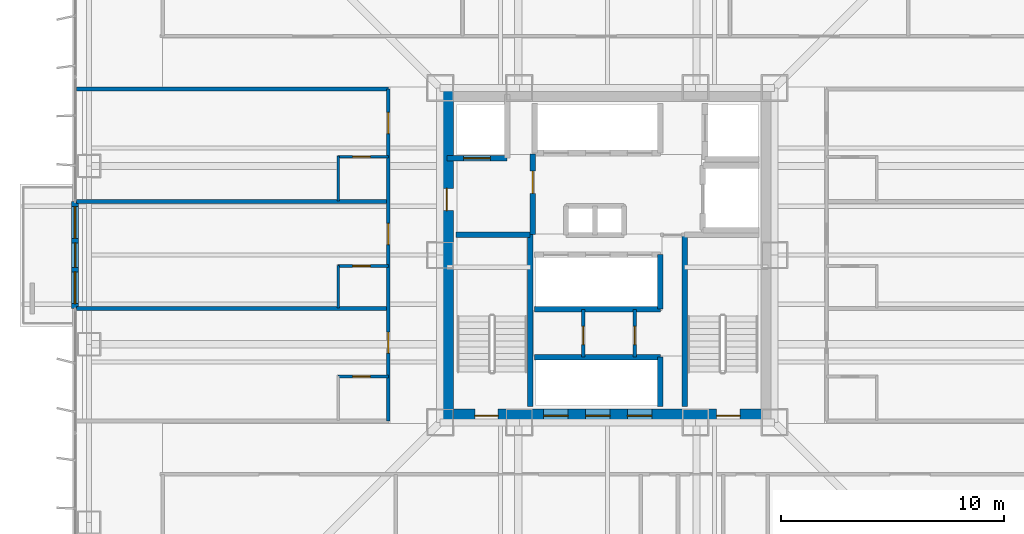
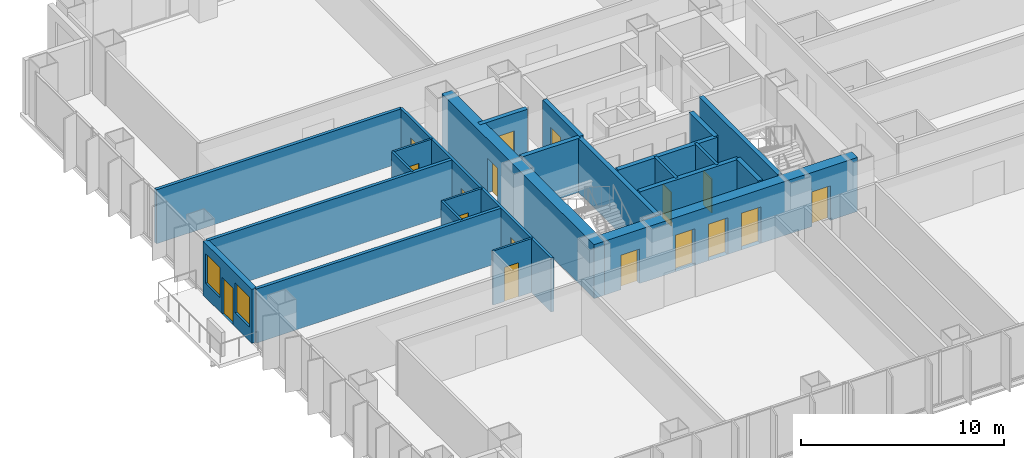
# One storey, part 11 of 16: 23 walls, 17 doors, 2 windows, 19 openings.
"""IFC4 building model written with IfcOpenShell, lengths in metres."""

from ifc_helpers import new_model, si_unit, direction, frame, frame_2d, origin, place, context, subcontext, project, spatial, rectangle, extrude, material, layer, layer_set, type_object, element, fill, save


model = new_model("IFC4")

# Units and contexts
model_context = context("Model", 3, precision=1e-05, world=origin(), true_north=direction((0.0, 1.0)))
body_context = subcontext(model_context, "Body", "Model", "MODEL_VIEW")
ifc_project = project(units=[si_unit("LENGTHUNIT", "METRE"), si_unit("AREAUNIT", "SQUARE_METRE"), si_unit("VOLUMEUNIT", "CUBIC_METRE"), si_unit("PLANEANGLEUNIT", "RADIAN"), si_unit("MASSUNIT", "GRAM", prefix="KILO")], contexts=[model_context])

# Site, building, storey
site_placement = place(None, origin())
site = spatial("IfcSite", under=ifc_project, at=site_placement, CompositionType="ELEMENT")
building_placement = place(site_placement, origin())
building = spatial("IfcBuilding", under=site, at=building_placement, Name="Trevonay Congress Spire", CompositionType="ELEMENT")
storey_placement = place(building_placement, frame((0.0, 0.0, 48.0)))
storey = spatial("IfcBuildingStorey", under=building, at=storey_placement, Name="L11", CompositionType="ELEMENT", Elevation=48.0)

# Wall, opening, door
ifc_material_1 = material(Name="Concrete C40/50", Category="concrete")
ifc_layer_1 = layer(ifc_material_1, 0.1201171875, Name="Concrete C40/50")
ifc_layer_set_1 = layer_set([ifc_layer_1], Name="Concrete C40/50")
wall_type_1 = type_object("IfcWallType", Name="WAL-BATH-120", PredefinedType="PLUMBINGWALL", material=ifc_layer_set_1)
wall_1_placement = place(storey_placement, frame((-12.080078125, -5.44189453125, 0.0), z_axis=(0.0, 0.0, 1.0), x_axis=(1.0, 0.0, 0.0)))
wall_1 = element("IfcWall", 1, at=wall_1_placement, inside=storey, type_object=wall_type_1, Name="L11 interior wall WH-L11W-BS1", PredefinedType="PLUMBINGWALL", context=body_context, shape_type="SweptSolid", body=[
    extrude(rectangle(XDim=2.25, YDim=0.1201171875, at=frame_2d((1.125, 0.0))), origin(), (0.0, 0.0, 1.0), 3.25),
])
opening_1_placement = place(wall_1_placement, frame((0.64990234375, 0.0, 0.0)))
opening_1 = element("IfcOpeningElement", 2, at=opening_1_placement, cuts=wall_1, Name="Opening D11", PredefinedType="OPENING", context=body_context, shape_type="SweptSolid", body=[
    extrude(rectangle(XDim=0.800048828125, YDim=2.050048828125, at=frame_2d((0.39990234375, 1.02490234375))), frame((0.0, 0.070068359375, 0.0), z_axis=(0.0, -1.0, 0.0), x_axis=(1.0, 0.0, 0.0)), (0.0, 0.0, 1.0), 0.14013671875),
])
ifc_material_2 = material(Name="Pale Anodised Aluminium EN AW-6063-T6", Category="aluminium")
door_type_1 = type_object("IfcDoorType", Name="DOR-BATH-80", OperationType="NOTDEFINED", PredefinedType="DOOR", material=ifc_material_2)
door_1_placement = place(opening_1_placement, origin())
door_1 = element("IfcDoor", 3, at=door_1_placement, inside=storey, type_object=door_type_1, Name="L11 En-suite Bathroom Door", OperationType="SINGLE_SWING_LEFT", OverallHeight=2.050048828125, OverallWidth=0.800048828125, PredefinedType="DOOR", context=body_context, shape_type="SweptSolid", body=[
    extrude(rectangle(XDim=0.800048828125, YDim=2.050048828125, at=frame_2d((0.39990234375, 1.02490234375))), frame((0.0, 0.02490234375, 0.0), z_axis=(0.0, -1.0, 0.0), x_axis=(1.0, 0.0, 0.0)), (0.0, 0.0, 1.0), 0.050048828125),
])
fill(opening_1, door_1)

wall_2_placement = place(storey_placement, frame((-12.080078125, -0.487060546875, 0.0), z_axis=(0.0, 0.0, 1.0), x_axis=(1.0, 0.0, 0.0)))
wall_2 = element("IfcWall", 4, at=wall_2_placement, inside=storey, type_object=wall_type_1, Name="L11 interior wall WH-L11W-BS2", PredefinedType="PLUMBINGWALL", context=body_context, shape_type="SweptSolid", body=[
    extrude(rectangle(XDim=2.25, YDim=0.1201171875, at=frame_2d((1.125, 0.0))), origin(), (0.0, 0.0, 1.0), 3.25),
])
opening_2_placement = place(wall_2_placement, frame((0.64990234375, 0.0, 0.0)))
opening_2 = element("IfcOpeningElement", 5, at=opening_2_placement, cuts=wall_2, Name="Opening D11", PredefinedType="OPENING", context=body_context, shape_type="SweptSolid", body=[
    extrude(rectangle(XDim=0.800048828125, YDim=2.050048828125, at=frame_2d((0.39990234375, 1.02490234375))), frame((0.0, 0.070068359375, 0.0), z_axis=(0.0, -1.0, 0.0), x_axis=(1.0, 0.0, 0.0)), (0.0, 0.0, 1.0), 0.14013671875),
])
door_2_placement = place(opening_2_placement, origin())
door_2 = element("IfcDoor", 6, at=door_2_placement, inside=storey, type_object=door_type_1, Name="L11 En-suite Bathroom Door", OperationType="SINGLE_SWING_RIGHT", OverallHeight=2.050048828125, OverallWidth=0.800048828125, PredefinedType="DOOR", context=body_context, shape_type="SweptSolid", body=[
    extrude(rectangle(XDim=0.800048828125, YDim=2.050048828125, at=frame_2d((0.39990234375, 1.02490234375))), frame((0.0, 0.02490234375, 0.0), z_axis=(0.0, -1.0, 0.0), x_axis=(1.0, 0.0, 0.0)), (0.0, 0.0, 1.0), 0.050048828125),
])
fill(opening_2, door_2)

# Wall
wall_3_placement = place(storey_placement, frame((-12.080078125, -2.3701171875, 0.0), z_axis=(0.0, 0.0, 1.0), x_axis=(0.0, 1.0, 0.0)))
element("IfcWall", 7, at=wall_3_placement, inside=storey, type_object=wall_type_1, Name="L11 interior wall WH-L11W-BF2", PredefinedType="PLUMBINGWALL", context=body_context, shape_type="SweptSolid", body=[
    extrude(rectangle(XDim=1.9130859375, YDim=0.1201171875, at=frame_2d((0.95654296875, 0.0))), origin(), (0.0, 0.0, 1.0), 3.25),
])

# Wall, opening, door
wall_4_placement = place(storey_placement, frame((-12.080078125, 4.407958984375, 0.0), z_axis=(0.0, 0.0, 1.0), x_axis=(1.0, 0.0, 0.0)))
wall_4 = element("IfcWall", 8, at=wall_4_placement, inside=storey, type_object=wall_type_1, Name="L11 interior wall WH-L11W-BS3", PredefinedType="PLUMBINGWALL", context=body_context, shape_type="SweptSolid", body=[
    extrude(rectangle(XDim=2.25, YDim=0.1201171875, at=frame_2d((1.125, 0.0))), origin(), (0.0, 0.0, 1.0), 3.25),
])
opening_3_placement = place(wall_4_placement, frame((0.64990234375, 0.0, 0.0)))
opening_3 = element("IfcOpeningElement", 9, at=opening_3_placement, cuts=wall_4, Name="Opening D11", PredefinedType="OPENING", context=body_context, shape_type="SweptSolid", body=[
    extrude(rectangle(XDim=0.800048828125, YDim=2.050048828125, at=frame_2d((0.39990234375, 1.02490234375))), frame((0.0, 0.070068359375, 0.0), z_axis=(0.0, -1.0, 0.0), x_axis=(1.0, 0.0, 0.0)), (0.0, 0.0, 1.0), 0.14013671875),
])
door_3_placement = place(opening_3_placement, origin())
door_3 = element("IfcDoor", 10, at=door_3_placement, inside=storey, type_object=door_type_1, Name="L11 En-suite Bathroom Door", OperationType="SINGLE_SWING_LEFT", OverallHeight=2.050048828125, OverallWidth=0.800048828125, PredefinedType="DOOR", context=body_context, shape_type="SweptSolid", body=[
    extrude(rectangle(XDim=0.800048828125, YDim=2.050048828125, at=frame_2d((0.39990234375, 1.02490234375))), frame((0.0, 0.02490234375, 0.0), z_axis=(0.0, -1.0, 0.0), x_axis=(1.0, 0.0, 0.0)), (0.0, 0.0, 1.0), 0.050048828125),
])
fill(opening_3, door_3)

# Wall
wall_5_placement = place(storey_placement, frame((-12.080078125, 2.429931640625, 0.0), z_axis=(0.0, 0.0, 1.0), x_axis=(0.0, 1.0, 0.0)))
element("IfcWall", 11, at=wall_5_placement, inside=storey, type_object=wall_type_1, Name="L11 interior wall WH-L11W-BF3", PredefinedType="PLUMBINGWALL", context=body_context, shape_type="SweptSolid", body=[
    extrude(rectangle(XDim=2.008056640625, YDim=0.1201171875, at=frame_2d((1.00390625, 0.0))), origin(), (0.0, 0.0, 1.0), 3.25),
])

# Wall, openings, doors
ifc_material_3 = material(Name="Concrete C60/75", Category="concrete")
ifc_layer_2 = layer(ifc_material_3, 0.60009765625, Name="Concrete C60/75")
ifc_layer_set_2 = layer_set([ifc_layer_2], Name="Concrete C60/75")
wall_type_2 = type_object("IfcWallType", Name="WAL-CORE-600", PredefinedType="SHEAR", material=ifc_layer_set_2)
wall_6_placement = place(storey_placement, frame((-7.5, -7.199951171875, 0.0), z_axis=(0.0, 0.0, 1.0), x_axis=(1.0, 0.0, 0.0)))
wall_6 = element("IfcWall", 12, at=wall_6_placement, inside=storey, type_object=wall_type_2, Name="L11 South structural core shear wall", PredefinedType="SHEAR", context=body_context, shape_type="SweptSolid", body=[
    extrude(rectangle(XDim=15.0, YDim=0.60009765625, at=frame_2d((7.5, 0.0))), origin(), (0.0, 0.0, 1.0), 3.25),
])
opening_4_placement = place(wall_6_placement, frame((1.550048828125, 0.0, 0.0)))
opening_4 = element("IfcOpeningElement", 13, at=opening_4_placement, cuts=wall_6, Name="Opening D05", PredefinedType="OPENING", context=body_context, shape_type="SweptSolid", body=[
    extrude(rectangle(XDim=1.050048828125, YDim=2.080078125, at=frame_2d((0.52490234375, 1.0400390625))), frame((0.0, 0.31005859375, 0.0), z_axis=(0.0, -1.0, 0.0), x_axis=(1.0, 0.0, 0.0)), (0.0, 0.0, 1.0), 0.6201171875),
])
opening_5_placement = place(wall_6_placement, frame((12.39990234375, 0.0, 0.0)))
opening_5 = element("IfcOpeningElement", 14, at=opening_5_placement, cuts=wall_6, Name="Opening D05", PredefinedType="OPENING", context=body_context, shape_type="SweptSolid", body=[
    extrude(rectangle(XDim=1.050048828125, YDim=2.080078125, at=frame_2d((0.52490234375, 1.0400390625))), frame((0.0, 0.31005859375, 0.0), z_axis=(0.0, -1.0, 0.0), x_axis=(1.0, 0.0, 0.0)), (0.0, 0.0, 1.0), 0.6201171875),
])
opening_6_placement = place(wall_6_placement, frame((4.639892578125, 0.0, 0.0)))
opening_6 = element("IfcOpeningElement", 15, at=opening_6_placement, cuts=wall_6, Name="Opening LD01", PredefinedType="OPENING", context=body_context, shape_type="SweptSolid", body=[
    extrude(rectangle(XDim=1.10009765625, YDim=2.199951171875, at=frame_2d((0.550048828125, 1.10009765625))), frame((0.0, 0.31005859375, 0.0), z_axis=(0.0, -1.0, 0.0), x_axis=(1.0, 0.0, 0.0)), (0.0, 0.0, 1.0), 0.6201171875),
])
opening_7_placement = place(wall_6_placement, frame((6.52001953125, 0.0, 0.0)))
opening_7 = element("IfcOpeningElement", 16, at=opening_7_placement, cuts=wall_6, Name="Opening LD01", PredefinedType="OPENING", context=body_context, shape_type="SweptSolid", body=[
    extrude(rectangle(XDim=1.10009765625, YDim=2.199951171875, at=frame_2d((0.550048828125, 1.10009765625))), frame((0.0, 0.31005859375, 0.0), z_axis=(0.0, -1.0, 0.0), x_axis=(1.0, 0.0, 0.0)), (0.0, 0.0, 1.0), 0.6201171875),
])
opening_8_placement = place(wall_6_placement, frame((8.39990234375, 0.0, 0.0)))
opening_8 = element("IfcOpeningElement", 17, at=opening_8_placement, cuts=wall_6, Name="Opening LD01", PredefinedType="OPENING", context=body_context, shape_type="SweptSolid", body=[
    extrude(rectangle(XDim=1.10009765625, YDim=2.199951171875, at=frame_2d((0.550048828125, 1.10009765625))), frame((0.0, 0.31005859375, 0.0), z_axis=(0.0, -1.0, 0.0), x_axis=(1.0, 0.0, 0.0)), (0.0, 0.0, 1.0), 0.6201171875),
])
door_type_2 = type_object("IfcDoorType", Name="DOR-LIFT-LD01", OperationType="DOUBLE_DOOR_SLIDING", PredefinedType="DOOR", material=ifc_material_2)
door_4_placement = place(opening_6_placement, origin())
door_4 = element("IfcDoor", 18, at=door_4_placement, inside=storey, type_object=door_type_2, Name="L11 Passenger lift PL-01 landing door", OperationType="DOUBLE_DOOR_SLIDING", OverallHeight=2.199951171875, OverallWidth=1.10009765625, PredefinedType="DOOR", context=body_context, shape_type="SweptSolid", body=[
    extrude(rectangle(XDim=1.10009765625, YDim=2.199951171875, at=frame_2d((0.550048828125, 1.10009765625))), frame((0.0, 0.02490234375, 0.0), z_axis=(0.0, -1.0, 0.0), x_axis=(1.0, 0.0, 0.0)), (0.0, 0.0, 1.0), 0.050048828125),
])
fill(opening_6, door_4)
door_5_placement = place(opening_7_placement, origin())
door_5 = element("IfcDoor", 19, at=door_5_placement, inside=storey, type_object=door_type_2, Name="L11 Passenger lift PL-02 landing door", OperationType="DOUBLE_DOOR_SLIDING", OverallHeight=2.199951171875, OverallWidth=1.10009765625, PredefinedType="DOOR", context=body_context, shape_type="SweptSolid", body=[
    extrude(rectangle(XDim=1.10009765625, YDim=2.199951171875, at=frame_2d((0.550048828125, 1.10009765625))), frame((0.0, 0.02490234375, 0.0), z_axis=(0.0, -1.0, 0.0), x_axis=(1.0, 0.0, 0.0)), (0.0, 0.0, 1.0), 0.050048828125),
])
fill(opening_7, door_5)
door_6_placement = place(opening_8_placement, origin())
door_6 = element("IfcDoor", 20, at=door_6_placement, inside=storey, type_object=door_type_2, Name="L11 Passenger lift PL-03 landing door", OperationType="DOUBLE_DOOR_SLIDING", OverallHeight=2.199951171875, OverallWidth=1.10009765625, PredefinedType="DOOR", context=body_context, shape_type="SweptSolid", body=[
    extrude(rectangle(XDim=1.10009765625, YDim=2.199951171875, at=frame_2d((0.550048828125, 1.10009765625))), frame((0.0, 0.02490234375, 0.0), z_axis=(0.0, -1.0, 0.0), x_axis=(1.0, 0.0, 0.0)), (0.0, 0.0, 1.0), 0.050048828125),
])
fill(opening_8, door_6)
ifc_material_4 = material(Name="Steel ASTM A572 Grade 50", Category="steel")
door_type_3 = type_object("IfcDoorType", Name="DOR-STAIR-110", OperationType="NOTDEFINED", PredefinedType="DOOR", material=ifc_material_4)
door_7_placement = place(opening_4_placement, origin())
door_7 = element("IfcDoor", 21, at=door_7_placement, inside=storey, type_object=door_type_3, Name="L11 Protected Stair ST-1 Door", OperationType="SINGLE_SWING_RIGHT", OverallHeight=2.080078125, OverallWidth=1.050048828125, PredefinedType="DOOR", context=body_context, shape_type="SweptSolid", body=[
    extrude(rectangle(XDim=1.050048828125, YDim=2.080078125, at=frame_2d((0.52490234375, 1.0400390625))), frame((0.0, 0.02490234375, 0.0), z_axis=(0.0, -1.0, 0.0), x_axis=(1.0, 0.0, 0.0)), (0.0, 0.0, 1.0), 0.050048828125),
])
fill(opening_4, door_7)
door_8_placement = place(opening_5_placement, origin())
door_8 = element("IfcDoor", 22, at=door_8_placement, inside=storey, type_object=door_type_3, Name="L11 Protected Stair ST-2 Door", OperationType="SINGLE_SWING_LEFT", OverallHeight=2.080078125, OverallWidth=1.050048828125, PredefinedType="DOOR", context=body_context, shape_type="SweptSolid", body=[
    extrude(rectangle(XDim=1.050048828125, YDim=2.080078125, at=frame_2d((0.52490234375, 1.0400390625))), frame((0.0, 0.02490234375, 0.0), z_axis=(0.0, -1.0, 0.0), x_axis=(1.0, 0.0, 0.0)), (0.0, 0.0, 1.0), 0.050048828125),
])
fill(opening_5, door_8)

# Wall, opening, door
wall_7_placement = place(storey_placement, frame((-7.199951171875, -7.5, 0.0), z_axis=(0.0, 0.0, 1.0), x_axis=(0.0, 1.0, 0.0)))
wall_7 = element("IfcWall", 23, at=wall_7_placement, inside=storey, type_object=wall_type_2, Name="L11 West structural core shear wall", PredefinedType="SHEAR", context=body_context, shape_type="SweptSolid", body=[
    extrude(rectangle(XDim=15.0, YDim=0.60009765625, at=frame_2d((7.5, 0.0))), origin(), (0.0, 0.0, 1.0), 3.25),
])
opening_9_placement = place(wall_7_placement, frame((9.5, 0.0, 0.0)))
opening_9 = element("IfcOpeningElement", 24, at=opening_9_placement, cuts=wall_7, Name="Opening D06", PredefinedType="OPENING", context=body_context, shape_type="SweptSolid", body=[
    extrude(rectangle(XDim=1.0, YDim=2.080078125, at=frame_2d((0.5, 1.0400390625))), frame((0.0, 0.31005859375, 0.0), z_axis=(0.0, -1.0, 0.0), x_axis=(1.0, 0.0, 0.0)), (0.0, 0.0, 1.0), 0.6201171875),
])
door_type_4 = type_object("IfcDoorType", Name="DOR-FIRE-100", OperationType="NOTDEFINED", PredefinedType="DOOR", material=ifc_material_4)
door_9_placement = place(opening_9_placement, origin())
door_9 = element("IfcDoor", 25, at=door_9_placement, inside=storey, type_object=door_type_4, Name="L11 Firefighting Lift Lobby West Corridor Door", OperationType="SINGLE_SWING_RIGHT", OverallHeight=2.080078125, OverallWidth=1.0, PredefinedType="DOOR", context=body_context, shape_type="SweptSolid", body=[
    extrude(rectangle(XDim=1.0, YDim=2.080078125, at=frame_2d((0.5, 1.0400390625))), frame((0.0, 0.02490234375, 0.0), z_axis=(0.0, -1.0, 0.0), x_axis=(1.0, 0.0, 0.0)), (0.0, 0.0, 1.0), 0.050048828125),
])
fill(opening_9, door_9)

# Wall, openings, doors
ifc_layer_3 = layer(ifc_material_1, 0.14990234375, Name="Concrete C40/50")
ifc_layer_set_3 = layer_set([ifc_layer_3], Name="Concrete C40/50")
wall_type_3 = type_object("IfcWallType", Name="WAL-CORR-150", PredefinedType="PARTITIONING", material=ifc_layer_set_3)
wall_8_placement = place(storey_placement, frame((-9.830078125, -7.449951171875, 0.0), z_axis=(0.0, 0.0, 1.0), x_axis=(0.0, 1.0, 0.0)))
wall_8 = element("IfcWall", 26, at=wall_8_placement, inside=storey, type_object=wall_type_3, Name="L11 interior wall WH-L11W-COR", PredefinedType="PARTITIONING", context=body_context, shape_type="SweptSolid", body=[
    extrude(rectangle(XDim=14.89990234375, YDim=0.14990234375, at=frame_2d((7.449951171875, 0.0))), origin(), (0.0, 0.0, 1.0), 3.25),
])
opening_10_placement = place(wall_8_placement, frame((3.049072265625, 0.0, 0.0)))
opening_10 = element("IfcOpeningElement", 27, at=opening_10_placement, cuts=wall_8, Name="Opening D08", PredefinedType="OPENING", context=body_context, shape_type="SweptSolid", body=[
    extrude(rectangle(XDim=0.949951171875, YDim=2.080078125, at=frame_2d((0.47509765625, 1.0400390625))), frame((0.0, 0.0849609375, 0.0), z_axis=(0.0, -1.0, 0.0), x_axis=(1.0, 0.0, 0.0)), (0.0, 0.0, 1.0), 0.169921875),
])
opening_11_placement = place(wall_8_placement, frame((7.926513671875, 0.0, 0.0)))
opening_11 = element("IfcOpeningElement", 28, at=opening_11_placement, cuts=wall_8, Name="Opening D08", PredefinedType="OPENING", context=body_context, shape_type="SweptSolid", body=[
    extrude(rectangle(XDim=0.949951171875, YDim=2.080078125, at=frame_2d((0.47509765625, 1.0400390625))), frame((0.0, 0.0849609375, 0.0), z_axis=(0.0, -1.0, 0.0), x_axis=(1.0, 0.0, 0.0)), (0.0, 0.0, 1.0), 0.169921875),
])
opening_12_placement = place(wall_8_placement, frame((12.89892578125, 0.0, 0.0)))
opening_12 = element("IfcOpeningElement", 29, at=opening_12_placement, cuts=wall_8, Name="Opening D08", PredefinedType="OPENING", context=body_context, shape_type="SweptSolid", body=[
    extrude(rectangle(XDim=0.949951171875, YDim=2.080078125, at=frame_2d((0.47509765625, 1.0400390625))), frame((0.0, 0.0849609375, 0.0), z_axis=(0.0, -1.0, 0.0), x_axis=(1.0, 0.0, 0.0)), (0.0, 0.0, 1.0), 0.169921875),
])
door_type_5 = type_object("IfcDoorType", Name="DOR-SUITE-95", OperationType="NOTDEFINED", PredefinedType="DOOR", material=ifc_material_2)
door_10_placement = place(opening_10_placement, origin())
door_10 = element("IfcDoor", 30, at=door_10_placement, inside=storey, type_object=door_type_5, Name="L11 Corner Hotel Suite Entrance Door", OperationType="SINGLE_SWING_RIGHT", OverallHeight=2.080078125, OverallWidth=0.949951171875, PredefinedType="DOOR", context=body_context, shape_type="SweptSolid", body=[
    extrude(rectangle(XDim=0.949951171875, YDim=2.080078125, at=frame_2d((0.47509765625, 1.0400390625))), frame((0.0, 0.02490234375, 0.0), z_axis=(0.0, -1.0, 0.0), x_axis=(1.0, 0.0, 0.0)), (0.0, 0.0, 1.0), 0.050048828125),
])
fill(opening_10, door_10)
door_11_placement = place(opening_11_placement, origin())
door_11 = element("IfcDoor", 31, at=door_11_placement, inside=storey, type_object=door_type_5, Name="L11 Corner Hotel Suite Entrance Door", OperationType="SINGLE_SWING_LEFT", OverallHeight=2.080078125, OverallWidth=0.949951171875, PredefinedType="DOOR", context=body_context, shape_type="SweptSolid", body=[
    extrude(rectangle(XDim=0.949951171875, YDim=2.080078125, at=frame_2d((0.47509765625, 1.0400390625))), frame((0.0, 0.02490234375, 0.0), z_axis=(0.0, -1.0, 0.0), x_axis=(1.0, 0.0, 0.0)), (0.0, 0.0, 1.0), 0.050048828125),
])
fill(opening_11, door_11)
door_12_placement = place(opening_12_placement, origin())
door_12 = element("IfcDoor", 32, at=door_12_placement, inside=storey, type_object=door_type_5, Name="L11 Corner Hotel Suite Entrance Door", OperationType="SINGLE_SWING_RIGHT", OverallHeight=2.080078125, OverallWidth=0.949951171875, PredefinedType="DOOR", context=body_context, shape_type="SweptSolid", body=[
    extrude(rectangle(XDim=0.949951171875, YDim=2.080078125, at=frame_2d((0.47509765625, 1.0400390625))), frame((0.0, 0.02490234375, 0.0), z_axis=(0.0, -1.0, 0.0), x_axis=(1.0, 0.0, 0.0)), (0.0, 0.0, 1.0), 0.050048828125),
])
fill(opening_12, door_12)

# Wall, openings, door, windows
ifc_material_5 = material(Name="Precast concrete C40/50", Category="concrete")
ifc_layer_4 = layer(ifc_material_5, 0.300048828125, Name="Precast concrete C40/50")
ifc_layer_set_4 = layer_set([ifc_layer_4], Name="Precast concrete C40/50")
wall_type_4 = type_object("IfcWallType", Name="WAL-EXT-PRECAST-300", PredefinedType="SOLIDWALL", material=ifc_layer_set_4)
wall_9_placement = place(storey_placement, frame((-23.8798828125, -2.39990234375, 0.0), z_axis=(0.0, 0.0, 1.0), x_axis=(0.0, 1.0, 0.0)))
wall_9 = element("IfcWall", 33, at=wall_9_placement, inside=storey, type_object=wall_type_4, Name="L11 W glazed balcony portal exterior wall", PredefinedType="SOLIDWALL", context=body_context, shape_type="SweptSolid", body=[
    extrude(rectangle(XDim=4.7998046875, YDim=0.300048828125, at=frame_2d((2.39990234375, 0.0))), origin(), (0.0, 0.0, 1.0), 3.25),
])
opening_13_placement = place(wall_9_placement, frame((1.85009765625, 0.0, 0.0)))
opening_13 = element("IfcOpeningElement", 34, at=opening_13_placement, cuts=wall_9, Name="Opening D03", PredefinedType="OPENING", context=body_context, shape_type="SweptSolid", body=[
    extrude(rectangle(XDim=1.10009765625, YDim=2.199951171875, at=frame_2d((0.550048828125, 1.10009765625))), frame((0.0, 0.16015625, 0.0), z_axis=(0.0, -1.0, 0.0), x_axis=(1.0, 0.0, 0.0)), (0.0, 0.0, 1.0), 0.320068359375),
])
opening_14_placement = place(wall_9_placement, frame((0.219970703125, 0.0, 0.85009765625)))
opening_14 = element("IfcOpeningElement", 35, at=opening_14_placement, cuts=wall_9, Name="Opening WN06", PredefinedType="OPENING", context=body_context, shape_type="SweptSolid", body=[
    extrude(rectangle(XDim=1.429931640625, YDim=1.800048828125, at=frame_2d((0.71484375, 0.89990234375))), frame((0.0, 0.16015625, 0.0), z_axis=(0.0, -1.0, 0.0), x_axis=(1.0, 0.0, 0.0)), (0.0, 0.0, 1.0), 0.320068359375),
])
opening_15_placement = place(wall_9_placement, frame((3.14990234375, 0.0, 0.85009765625)))
opening_15 = element("IfcOpeningElement", 36, at=opening_15_placement, cuts=wall_9, Name="Opening WN06", PredefinedType="OPENING", context=body_context, shape_type="SweptSolid", body=[
    extrude(rectangle(XDim=1.429931640625, YDim=1.800048828125, at=frame_2d((0.71484375, 0.89990234375))), frame((0.0, 0.16015625, 0.0), z_axis=(0.0, -1.0, 0.0), x_axis=(1.0, 0.0, 0.0)), (0.0, 0.0, 1.0), 0.320068359375),
])
door_type_6 = type_object("IfcDoorType", Name="DOR-EXT-BAL-110", OperationType="NOTDEFINED", PredefinedType="DOOR", material=ifc_material_2)
door_13_placement = place(opening_13_placement, origin())
door_13 = element("IfcDoor", 37, at=door_13_placement, inside=storey, type_object=door_type_6, Name="L11 W glazed outdoor terrace and balcony door", OperationType="SINGLE_SWING_LEFT", OverallHeight=2.199951171875, OverallWidth=1.10009765625, PredefinedType="DOOR", context=body_context, shape_type="SweptSolid", body=[
    extrude(rectangle(XDim=1.10009765625, YDim=2.199951171875, at=frame_2d((0.550048828125, 1.10009765625))), frame((0.0, 0.02490234375, 0.0), z_axis=(0.0, -1.0, 0.0), x_axis=(1.0, 0.0, 0.0)), (0.0, 0.0, 1.0), 0.050048828125),
])
fill(opening_13, door_13)
ifc_material_6 = material(Name="Insulated Low-E Vision Glass IGU", Category="glass")
window_type = type_object("IfcWindowType", Name="WIN-SIDELIGHT-143X180", PartitioningType="SINGLE_PANEL", PredefinedType="WINDOW", material=ifc_material_6)
window_1_placement = place(opening_14_placement, origin())
window_1 = element("IfcWindow", 38, at=window_1_placement, inside=storey, type_object=window_type, Name="L11 W balcony sidelight window L", OverallHeight=1.800048828125, OverallWidth=1.429931640625, PartitioningType="SINGLE_PANEL", PredefinedType="WINDOW", context=body_context, shape_type="SweptSolid", body=[
    extrude(rectangle(XDim=1.429931640625, YDim=1.800048828125, at=frame_2d((0.71484375, 0.89990234375))), frame((0.0, 0.030029296875, 0.0), z_axis=(0.0, -1.0, 0.0), x_axis=(1.0, 0.0, 0.0)), (0.0, 0.0, 1.0), 0.06005859375),
])
fill(opening_14, window_1)
window_2_placement = place(opening_15_placement, origin())
window_2 = element("IfcWindow", 39, at=window_2_placement, inside=storey, type_object=window_type, Name="L11 W balcony sidelight window R", OverallHeight=1.800048828125, OverallWidth=1.429931640625, PartitioningType="SINGLE_PANEL", PredefinedType="WINDOW", context=body_context, shape_type="SweptSolid", body=[
    extrude(rectangle(XDim=1.429931640625, YDim=1.800048828125, at=frame_2d((0.71484375, 0.89990234375))), frame((0.0, 0.030029296875, 0.0), z_axis=(0.0, -1.0, 0.0), x_axis=(1.0, 0.0, 0.0)), (0.0, 0.0, 1.0), 0.06005859375),
])
fill(opening_15, window_2)

# Walls
ifc_layer_5 = layer(ifc_material_1, 0.179931640625, Name="Concrete C40/50")
ifc_layer_set_5 = layer_set([ifc_layer_5], Name="Concrete C40/50")
wall_type_5 = type_object("IfcWallType", Name="WAL-HOTEL-180", PredefinedType="PARTITIONING", material=ifc_layer_set_5)
for number, where, z_axis, x_axis, name in (
    (40, (-23.820068359375, -2.39990234375, 0.0), (0.0, 0.0, 1.0), (1.0, 0.0, 0.0), "L11 interior wall WH-L11W-DIV2"),
    (41, (-23.820068359375, 2.39990234375, 0.0), (0.0, 0.0, 1.0), (1.0, 0.0, 0.0), "L11 interior wall WH-L11W-DIV3"),
    (42, (-23.820068359375, 7.449951171875, 0.0), (0.0, 0.0, 1.0), (1.0, 0.0, 0.0), "L11 interior wall WH-L11W-DIV4"),
):
    element("IfcWall", number, at=place(storey_placement, frame(where, z_axis=z_axis, x_axis=x_axis)), inside=storey, type_object=wall_type_5, Name=name, PredefinedType="PARTITIONING", context=body_context, shape_type="SweptSolid", body=[
        extrude(rectangle(XDim=13.989990234375, YDim=0.179931640625, at=frame_2d((6.9951171875, 0.0))), origin(), (0.0, 0.0, 1.0), 3.25),
    ])

# Wall, opening, door
ifc_layer_6 = layer(ifc_material_1, 0.14990234375, Name="Concrete C40/50")
ifc_layer_set_6 = layer_set([ifc_layer_6], Name="Concrete C40/50")
wall_type_6 = type_object("IfcWallType", Name="WAL-PART-150", PredefinedType="PARTITIONING", material=ifc_layer_set_6)
wall_10_placement = place(storey_placement, frame((-1.080078125, -4.570068359375, 0.0), z_axis=(0.0, 0.0, 1.0), x_axis=(0.0, 1.0, 0.0)))
wall_10 = element("IfcWall", 43, at=wall_10_placement, inside=storey, type_object=wall_type_6, Name="L11 interior wall CW-K3-IT-L11", PredefinedType="PARTITIONING", context=body_context, shape_type="SweptSolid", body=[
    extrude(rectangle(XDim=2.14013671875, YDim=0.14990234375, at=frame_2d((1.070068359375, 0.0))), origin(), (0.0, 0.0, 1.0), 3.25),
])
opening_16_placement = place(wall_10_placement, frame((0.550048828125, 0.0, 0.0)))
opening_16 = element("IfcOpeningElement", 44, at=opening_16_placement, cuts=wall_10, Name="Opening D13", PredefinedType="OPENING", context=body_context, shape_type="SweptSolid", body=[
    extrude(rectangle(XDim=0.820068359375, YDim=2.050048828125, at=frame_2d((0.41015625, 1.02490234375))), frame((0.0, 0.0849609375, 0.0), z_axis=(0.0, -1.0, 0.0), x_axis=(1.0, 0.0, 0.0)), (0.0, 0.0, 1.0), 0.169921875),
])
door_type_7 = type_object("IfcDoorType", Name="DOR-UTIL-80", OperationType="NOTDEFINED", PredefinedType="DOOR", material=ifc_material_4)
door_14_placement = place(opening_16_placement, origin())
door_14 = element("IfcDoor", 45, at=door_14_placement, inside=storey, type_object=door_type_7, Name="L11 Core IT Door", OperationType="SINGLE_SWING_LEFT", OverallHeight=2.050048828125, OverallWidth=0.820068359375, PredefinedType="DOOR", context=body_context, shape_type="SweptSolid", body=[
    extrude(rectangle(XDim=0.820068359375, YDim=2.050048828125, at=frame_2d((0.41015625, 1.02490234375))), frame((0.0, 0.02490234375, 0.0), z_axis=(0.0, -1.0, 0.0), x_axis=(1.0, 0.0, 0.0)), (0.0, 0.0, 1.0), 0.050048828125),
])
fill(opening_16, door_14)

wall_11_placement = place(storey_placement, frame((1.219970703125, -4.570068359375, 0.0), z_axis=(0.0, 0.0, 1.0), x_axis=(0.0, 1.0, 0.0)))
wall_11 = element("IfcWall", 46, at=wall_11_placement, inside=storey, type_object=wall_type_6, Name="L11 interior wall CW-K3-JAN-L11", PredefinedType="PARTITIONING", context=body_context, shape_type="SweptSolid", body=[
    extrude(rectangle(XDim=2.14013671875, YDim=0.14990234375, at=frame_2d((1.070068359375, 0.0))), origin(), (0.0, 0.0, 1.0), 3.25),
])
opening_17_placement = place(wall_11_placement, frame((0.550048828125, 0.0, 0.0)))
opening_17 = element("IfcOpeningElement", 47, at=opening_17_placement, cuts=wall_11, Name="Opening D13", PredefinedType="OPENING", context=body_context, shape_type="SweptSolid", body=[
    extrude(rectangle(XDim=0.820068359375, YDim=2.050048828125, at=frame_2d((0.41015625, 1.02490234375))), frame((0.0, 0.0849609375, 0.0), z_axis=(0.0, -1.0, 0.0), x_axis=(1.0, 0.0, 0.0)), (0.0, 0.0, 1.0), 0.169921875),
])
door_15_placement = place(opening_17_placement, origin())
door_15 = element("IfcDoor", 48, at=door_15_placement, inside=storey, type_object=door_type_7, Name="L11 Core JAN Door", OperationType="SINGLE_SWING_RIGHT", OverallHeight=2.050048828125, OverallWidth=0.820068359375, PredefinedType="DOOR", context=body_context, shape_type="SweptSolid", body=[
    extrude(rectangle(XDim=0.820068359375, YDim=2.050048828125, at=frame_2d((0.41015625, 1.02490234375))), frame((0.0, 0.02490234375, 0.0), z_axis=(0.0, -1.0, 0.0), x_axis=(1.0, 0.0, 0.0)), (0.0, 0.0, 1.0), 0.050048828125),
])
fill(opening_17, door_15)

# Walls
ifc_layer_7 = layer(ifc_material_1, 0.25, Name="Concrete C40/50")
ifc_layer_set_7 = layer_set([ifc_layer_7], Name="Concrete C40/50")
wall_type_7 = type_object("IfcWallType", Name="WAL-SHAFT-250", PredefinedType="SHEAR", material=ifc_layer_set_7)
wall_12_placement = place(storey_placement, frame((-3.260009765625, -4.580078125, 0.0), z_axis=(0.0, 0.0, 1.0), x_axis=(1.0, 0.0, 0.0)))
element("IfcWall", 49, at=wall_12_placement, inside=storey, type_object=wall_type_7, Name="L11 interior shaft wall WSH-L11-B1-N", PredefinedType="SHEAR", context=body_context, shape_type="SweptSolid", body=[
    extrude(rectangle(XDim=5.639892578125, YDim=0.25, at=frame_2d((2.81982421875, 0.0))), origin(), (0.0, 0.0, 1.0), 3.25),
])
wall_13_placement = place(storey_placement, frame((2.3798828125, -6.800048828125, 0.0), z_axis=(0.0, 0.0, 1.0), x_axis=(0.0, 1.0, 0.0)))
element("IfcWall", 50, at=wall_13_placement, inside=storey, type_object=wall_type_7, Name="L11 interior shaft wall WSH-L11-B1-E", PredefinedType="SHEAR", context=body_context, shape_type="SweptSolid", body=[
    extrude(rectangle(XDim=2.219970703125, YDim=0.25, at=frame_2d((1.10986328125, 0.0))), origin(), (0.0, 0.0, 1.0), 3.25),
])
wall_14_placement = place(storey_placement, frame((-3.260009765625, -2.419921875, 0.0), z_axis=(0.0, 0.0, 1.0), x_axis=(1.0, 0.0, 0.0)))
element("IfcWall", 51, at=wall_14_placement, inside=storey, type_object=wall_type_7, Name="L11 interior shaft wall WSH-L11-B2-S", PredefinedType="SHEAR", context=body_context, shape_type="SweptSolid", body=[
    extrude(rectangle(XDim=5.639892578125, YDim=0.25, at=frame_2d((2.81982421875, 0.0))), origin(), (0.0, 0.0, 1.0), 3.25),
])
wall_15_placement = place(storey_placement, frame((2.3798828125, -2.419921875, 0.0), z_axis=(0.0, 0.0, 1.0), x_axis=(0.0, 1.0, 0.0)))
element("IfcWall", 52, at=wall_15_placement, inside=storey, type_object=wall_type_7, Name="L11 interior shaft wall WSH-L11-B2-E", PredefinedType="SHEAR", context=body_context, shape_type="SweptSolid", body=[
    extrude(rectangle(XDim=2.43994140625, YDim=0.25, at=frame_2d((1.219970703125, 0.0))), origin(), (0.0, 0.0, 1.0), 3.25),
])

# Wall, opening, door
wall_16_placement = place(storey_placement, frame((-7.199951171875, 4.35009765625, 0.0), z_axis=(0.0, 0.0, 1.0), x_axis=(1.0, 0.0, 0.0)))
wall_16 = element("IfcWall", 53, at=wall_16_placement, inside=storey, type_object=wall_type_7, Name="L11 interior shaft wall WSH-L11-FF1-S", PredefinedType="SHEAR", context=body_context, shape_type="SweptSolid", body=[
    extrude(rectangle(XDim=2.699951171875, YDim=0.25, at=frame_2d((1.35009765625, 0.0))), origin(), (0.0, 0.0, 1.0), 3.25),
])
opening_18_placement = place(wall_16_placement, frame((0.75, 0.0, 0.0)))
opening_18 = element("IfcOpeningElement", 54, at=opening_18_placement, cuts=wall_16, Name="Opening LD04", PredefinedType="OPENING", context=body_context, shape_type="SweptSolid", body=[
    extrude(rectangle(XDim=1.199951171875, YDim=2.199951171875, at=frame_2d((0.60009765625, 1.10009765625))), frame((0.0, 0.135009765625, 0.0), z_axis=(0.0, -1.0, 0.0), x_axis=(1.0, 0.0, 0.0)), (0.0, 0.0, 1.0), 0.27001953125),
])
door_type_8 = type_object("IfcDoorType", Name="DOR-LIFT-LD04", OperationType="DOUBLE_DOOR_SLIDING", PredefinedType="DOOR", material=ifc_material_4)
door_16_placement = place(opening_18_placement, origin())
door_16 = element("IfcDoor", 55, at=door_16_placement, inside=storey, type_object=door_type_8, Name="L11 Firefighting lift FFL-01 landing door", OperationType="DOUBLE_DOOR_SLIDING", OverallHeight=2.199951171875, OverallWidth=1.199951171875, PredefinedType="DOOR", context=body_context, shape_type="SweptSolid", body=[
    extrude(rectangle(XDim=1.199951171875, YDim=2.199951171875, at=frame_2d((0.60009765625, 1.10009765625))), frame((0.0, 0.02490234375, 0.0), z_axis=(0.0, -1.0, 0.0), x_axis=(1.0, 0.0, 0.0)), (0.0, 0.0, 1.0), 0.050048828125),
])
fill(opening_18, door_16)

wall_17_placement = place(storey_placement, frame((-3.35009765625, 0.919921875, 0.0), z_axis=(0.0, 0.0, 1.0), x_axis=(0.0, 1.0, 0.0)))
wall_17 = element("IfcWall", 56, at=wall_17_placement, inside=storey, type_object=wall_type_7, Name="L11 interior wall CW-FFLW-E-L11", PredefinedType="SHEAR", context=body_context, shape_type="SweptSolid", body=[
    extrude(rectangle(XDim=3.6201171875, YDim=0.25, at=frame_2d((1.81005859375, 0.0))), origin(), (0.0, 0.0, 1.0), 3.25),
])
opening_19_placement = place(wall_17_placement, frame((1.85009765625, 0.0, 0.0)))
opening_19 = element("IfcOpeningElement", 57, at=opening_19_placement, cuts=wall_17, Name="Opening D06", PredefinedType="OPENING", context=body_context, shape_type="SweptSolid", body=[
    extrude(rectangle(XDim=1.0, YDim=2.080078125, at=frame_2d((0.5, 1.0400390625))), frame((0.0, 0.135009765625, 0.0), z_axis=(0.0, -1.0, 0.0), x_axis=(1.0, 0.0, 0.0)), (0.0, 0.0, 1.0), 0.27001953125),
])
door_17_placement = place(opening_19_placement, origin())
door_17 = element("IfcDoor", 58, at=door_17_placement, inside=storey, type_object=door_type_4, Name="L11 Firefighting Core Lobby Transfer Door", OperationType="SINGLE_SWING_LEFT", OverallHeight=2.080078125, OverallWidth=1.0, PredefinedType="DOOR", context=body_context, shape_type="SweptSolid", body=[
    extrude(rectangle(XDim=1.0, YDim=2.080078125, at=frame_2d((0.5, 1.0400390625))), frame((0.0, 0.02490234375, 0.0), z_axis=(0.0, -1.0, 0.0), x_axis=(1.0, 0.0, 0.0)), (0.0, 0.0, 1.0), 0.050048828125),
])
fill(opening_19, door_17)

# Walls
ifc_layer_8 = layer(ifc_material_1, 0.25, Name="Concrete C40/50")
ifc_layer_set_8 = layer_set([ifc_layer_8], Name="Concrete C40/50")
wall_type_8 = type_object("IfcWallType", Name="WAL-SHAFT-LB-250", PredefinedType="SHEAR", material=ifc_layer_set_8)
wall_18_placement = place(storey_placement, frame((-3.469970703125, -6.800048828125, 0.0), z_axis=(0.0, 0.0, 1.0), x_axis=(0.0, 1.0, 0.0)))
element("IfcWall", 59, at=wall_18_placement, inside=storey, type_object=wall_type_8, Name="L11 interior shaft wall WSH-L11-ST1-E", PredefinedType="SHEAR", context=body_context, shape_type="SweptSolid", body=[
    extrude(rectangle(XDim=7.719970703125, YDim=0.25, at=frame_2d((3.85986328125, 0.0))), origin(), (0.0, 0.0, 1.0), 3.25),
])
wall_19_placement = place(storey_placement, frame((-6.800048828125, 0.919921875, 0.0), z_axis=(0.0, 0.0, 1.0), x_axis=(1.0, 0.0, 0.0)))
element("IfcWall", 60, at=wall_19_placement, inside=storey, type_object=wall_type_8, Name="L11 interior shaft wall WSH-L11-ST1-N", PredefinedType="SHEAR", context=body_context, shape_type="SweptSolid", body=[
    extrude(rectangle(XDim=3.330078125, YDim=0.25, at=frame_2d((1.6650390625, 0.0))), origin(), (0.0, 0.0, 1.0), 3.25),
])
wall_20_placement = place(storey_placement, frame((3.469970703125, -6.800048828125, 0.0), z_axis=(0.0, 0.0, 1.0), x_axis=(0.0, 1.0, 0.0)))
element("IfcWall", 61, at=wall_20_placement, inside=storey, type_object=wall_type_8, Name="L11 interior shaft wall WSH-L11-ST2-W", PredefinedType="SHEAR", context=body_context, shape_type="SweptSolid", body=[
    extrude(rectangle(XDim=7.719970703125, YDim=0.25, at=frame_2d((3.85986328125, 0.0))), origin(), (0.0, 0.0, 1.0), 3.25),
])

save(model, "model.ifc")
